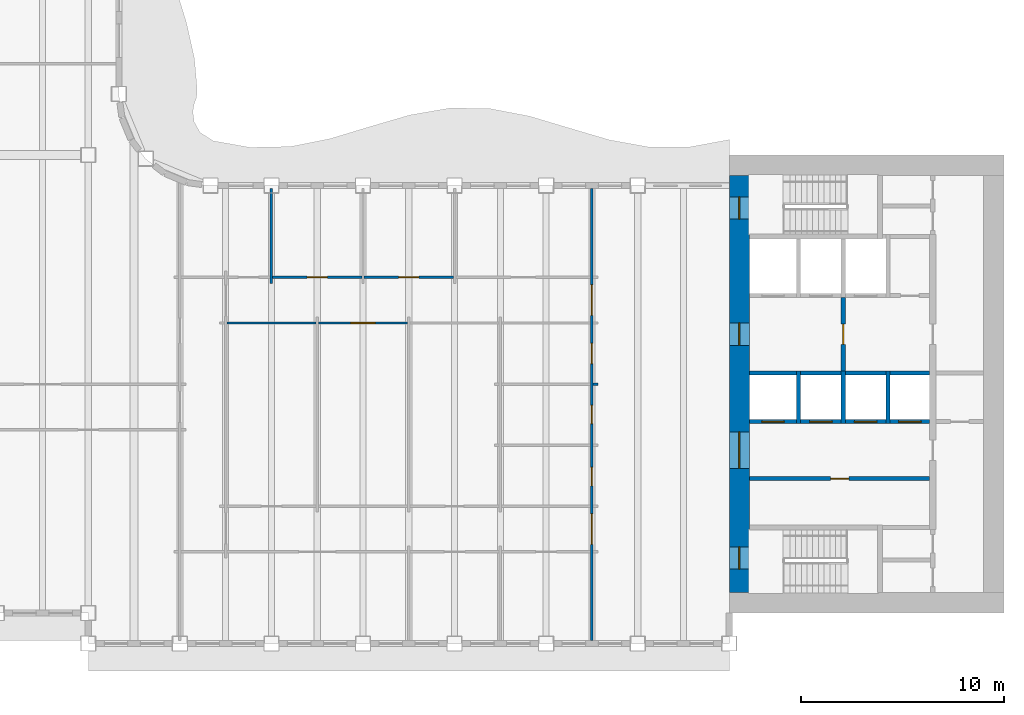
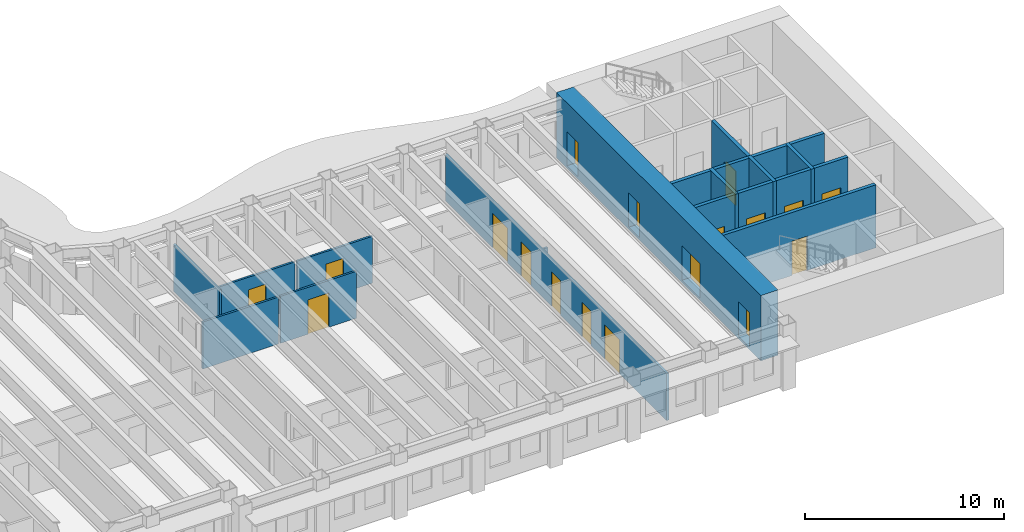
# One storey, part 6 of 16: 21 walls, 18 doors, 18 openings.
"""IFC4 building model written with IfcOpenShell, lengths in metres."""

from ifc_helpers import new_model, si_unit, direction, frame, frame_2d, origin, place, context, subcontext, project, spatial, rectangle, extrude, material, layer, layer_set, type_object, element, fill, save


model = new_model("IFC4")

# Units and contexts
model_context = context("Model", 3, precision=1e-05, world=origin(), true_north=direction((0.0, 1.0)))
body_context = subcontext(model_context, "Body", "Model", "MODEL_VIEW")
ifc_project = project(units=[si_unit("LENGTHUNIT", "METRE"), si_unit("AREAUNIT", "SQUARE_METRE"), si_unit("VOLUMEUNIT", "CUBIC_METRE"), si_unit("PLANEANGLEUNIT", "RADIAN"), si_unit("MASSUNIT", "GRAM", prefix="KILO")], contexts=[model_context])

# Site, building, storey
site_placement = place(None, origin())
site = spatial("IfcSite", under=ifc_project, at=site_placement, CompositionType="ELEMENT")
building_placement = place(site_placement, origin())
building = spatial("IfcBuilding", under=site, at=building_placement, Name="Sennacour Bend Tower", CompositionType="ELEMENT")
storey_placement = place(building_placement, frame((0.0, 0.0, 231.0)))
storey = spatial("IfcBuildingStorey", under=building, at=storey_placement, Name="L53", CompositionType="ELEMENT", Elevation=231.0)

# Wall, openings, doors
ifc_material_1 = material(Name="Concrete C60/75", Category="concrete")
ifc_layer_1 = layer(ifc_material_1, 1.0, Name="Concrete C60/75", Category="concrete")
ifc_layer_set_1 = layer_set([ifc_layer_1], Name="Concrete C60/75")
wall_type_1 = type_object("IfcWallType", Name="Core wall 1000 C60/75", PredefinedType="SHEAR", material=ifc_layer_set_1)
wall_1_placement = place(storey_placement, frame((54.5, 1.0, -0.14990234375), z_axis=(0.0, 0.0, 1.0), x_axis=(0.0, 1.0, 0.0)))
wall_1 = element("IfcWall", 1, at=wall_1_placement, inside=storey, type_object=wall_type_1, Name="Core A wall L53 W", PredefinedType="SHEAR", context=body_context, shape_type="SweptSolid", body=[
    extrude(rectangle(XDim=20.5, YDim=1.0, at=frame_2d((10.25, 0.0))), origin(), (0.0, 0.0, 1.0), 4.0),
])
opening_1_placement = place(wall_1_placement, frame((6.10009765625, 0.0, 0.14990234375)))
opening_1 = element("IfcOpeningElement", 2, at=opening_1_placement, cuts=wall_1, Name="Opening CD", PredefinedType="OPENING", context=body_context, shape_type="SweptSolid", body=[
    extrude(rectangle(XDim=1.800048828125, YDim=2.10009765625, at=frame_2d((0.89990234375, 1.050048828125))), frame((0.0, 0.510009765625, 0.0), z_axis=(0.0, -1.0, 0.0), x_axis=(1.0, 0.0, 0.0)), (0.0, 0.0, 1.0), 1.02001953125),
])
opening_2_placement = place(wall_1_placement, frame((12.14990234375, 0.0, 0.14990234375)))
opening_2 = element("IfcOpeningElement", 3, at=opening_2_placement, cuts=wall_1, Name="Opening FD", PredefinedType="OPENING", context=body_context, shape_type="SweptSolid", body=[
    extrude(rectangle(XDim=1.10009765625, YDim=2.10009765625, at=frame_2d((0.550048828125, 1.050048828125))), frame((0.0, 0.510009765625, 0.0), z_axis=(0.0, -1.0, 0.0), x_axis=(1.0, 0.0, 0.0)), (0.0, 0.0, 1.0), 1.02001953125),
])
opening_3_placement = place(wall_1_placement, frame((1.14990234375, 0.0, 0.14990234375)))
opening_3 = element("IfcOpeningElement", 4, at=opening_3_placement, cuts=wall_1, Name="Opening SD", PredefinedType="OPENING", context=body_context, shape_type="SweptSolid", body=[
    extrude(rectangle(XDim=1.10009765625, YDim=2.10009765625, at=frame_2d((0.550048828125, 1.050048828125))), frame((0.0, 0.510009765625, 0.0), z_axis=(0.0, -1.0, 0.0), x_axis=(1.0, 0.0, 0.0)), (0.0, 0.0, 1.0), 1.02001953125),
])
opening_4_placement = place(wall_1_placement, frame((18.35009765625, 0.0, 0.14990234375)))
opening_4 = element("IfcOpeningElement", 5, at=opening_4_placement, cuts=wall_1, Name="Opening SD", PredefinedType="OPENING", context=body_context, shape_type="SweptSolid", body=[
    extrude(rectangle(XDim=1.10009765625, YDim=2.10009765625, at=frame_2d((0.550048828125, 1.050048828125))), frame((0.0, 0.510009765625, 0.0), z_axis=(0.0, -1.0, 0.0), x_axis=(1.0, 0.0, 0.0)), (0.0, 0.0, 1.0), 1.02001953125),
])
ifc_material_2 = material(Name="Painted steel", Category="steel")
door_type_1 = type_object("IfcDoorType", Name="DR-FFL-1100", OperationType="NOTDEFINED", PredefinedType="DOOR", material=ifc_material_2)
door_1_placement = place(opening_2_placement, origin())
door_1 = element("IfcDoor", 6, at=door_1_placement, inside=storey, type_object=door_type_1, Name="Door", OperationType="SINGLE_SWING_RIGHT", OverallHeight=2.10009765625, OverallWidth=1.10009765625, PredefinedType="DOOR", context=body_context, shape_type="SweptSolid", body=[
    extrude(rectangle(XDim=1.10009765625, YDim=2.10009765625, at=frame_2d((0.550048828125, 1.050048828125))), frame((0.0, 0.02490234375, 0.0), z_axis=(0.0, -1.0, 0.0), x_axis=(1.0, 0.0, 0.0)), (0.0, 0.0, 1.0), 0.050048828125),
])
fill(opening_2, door_1)
door_type_2 = type_object("IfcDoorType", Name="DR-LOBBY-1800", OperationType="NOTDEFINED", PredefinedType="DOOR", material=ifc_material_2)
door_2_placement = place(opening_1_placement, origin())
door_2 = element("IfcDoor", 7, at=door_2_placement, inside=storey, type_object=door_type_2, Name="Door", OperationType="DOUBLE_DOOR_SINGLE_SWING", OverallHeight=2.10009765625, OverallWidth=1.800048828125, PredefinedType="DOOR", context=body_context, shape_type="SweptSolid", body=[
    extrude(rectangle(XDim=1.800048828125, YDim=2.10009765625, at=frame_2d((0.89990234375, 1.050048828125))), frame((0.0, 0.02490234375, 0.0), z_axis=(0.0, -1.0, 0.0), x_axis=(1.0, 0.0, 0.0)), (0.0, 0.0, 1.0), 0.050048828125),
])
fill(opening_1, door_2)
door_type_3 = type_object("IfcDoorType", Name="DR-STAIR-1100", OperationType="NOTDEFINED", PredefinedType="DOOR", material=ifc_material_2)
door_3_placement = place(opening_3_placement, origin())
door_3 = element("IfcDoor", 8, at=door_3_placement, inside=storey, type_object=door_type_3, Name="Door", OperationType="SINGLE_SWING_LEFT", OverallHeight=2.10009765625, OverallWidth=1.10009765625, PredefinedType="DOOR", context=body_context, shape_type="SweptSolid", body=[
    extrude(rectangle(XDim=1.10009765625, YDim=2.10009765625, at=frame_2d((0.550048828125, 1.050048828125))), frame((0.0, 0.02490234375, 0.0), z_axis=(0.0, -1.0, 0.0), x_axis=(1.0, 0.0, 0.0)), (0.0, 0.0, 1.0), 0.050048828125),
])
fill(opening_3, door_3)
door_4_placement = place(opening_4_placement, origin())
door_4 = element("IfcDoor", 9, at=door_4_placement, inside=storey, type_object=door_type_3, Name="Door", OperationType="SINGLE_SWING_RIGHT", OverallHeight=2.10009765625, OverallWidth=1.10009765625, PredefinedType="DOOR", context=body_context, shape_type="SweptSolid", body=[
    extrude(rectangle(XDim=1.10009765625, YDim=2.10009765625, at=frame_2d((0.550048828125, 1.050048828125))), frame((0.0, 0.02490234375, 0.0), z_axis=(0.0, -1.0, 0.0), x_axis=(1.0, 0.0, 0.0)), (0.0, 0.0, 1.0), 0.050048828125),
])
fill(opening_4, door_4)

# Walls
ifc_material_3 = material(Name="Plasterboard partition on steel studs", Category="steel")
ifc_layer_2 = layer(ifc_material_3, 0.1201171875, Name="Plasterboard partition on steel studs", Category="steel")
ifc_layer_set_2 = layer_set([ifc_layer_2], Name="Plasterboard partition on steel studs")
wall_type_2 = type_object("IfcWallType", Name="Partition 120", PredefinedType="PARTITIONING", material=ifc_layer_set_2)
wall_2_placement = place(storey_placement, frame((31.5, 16.199951171875, 0.0), z_axis=(0.0, 0.0, 1.0), x_axis=(0.0, 1.0, 0.0)))
element("IfcWall", 10, at=wall_2_placement, inside=storey, type_object=wall_type_2, Name="P-L53-W028a", PredefinedType="PARTITIONING", context=body_context, shape_type="SweptSolid", body=[
    extrude(rectangle(XDim=4.650146484375, YDim=0.1201171875, at=frame_2d((2.3251953125, 0.0))), origin(), (0.0, 0.0, 1.0), 2.8701171875),
])
wall_3_placement = place(storey_placement, frame((47.31005859375, 11.25, 0.0), z_axis=(0.0, 0.0, 1.0), x_axis=(1.0, 0.0, 0.0)))
element("IfcWall", 11, at=wall_3_placement, inside=storey, type_object=wall_type_2, Name="P-L53-W066ac", PredefinedType="PARTITIONING", context=body_context, shape_type="SweptSolid", body=[
    extrude(rectangle(XDim=0.239990234375, YDim=0.1201171875, at=frame_2d((0.1201171875, 0.0))), origin(), (0.0, 0.0, 1.0), 2.8701171875),
])
wall_4_placement = place(storey_placement, frame((29.31005859375, 14.25, 0.0), z_axis=(0.0, 0.0, 1.0), x_axis=(1.0, 0.0, 0.0)))
element("IfcWall", 12, at=wall_4_placement, inside=storey, type_object=wall_type_2, Name="P-L53-W069ab", PredefinedType="PARTITIONING", context=body_context, shape_type="SweptSolid", body=[
    extrude(rectangle(XDim=4.3798828125, YDim=0.1201171875, at=frame_2d((2.18994140625, 0.0))), origin(), (0.0, 0.0, 1.0), 2.8701171875),
])

# Wall, opening, door
wall_5_placement = place(storey_placement, frame((33.81005859375, 14.25, 0.0), z_axis=(0.0, 0.0, 1.0), x_axis=(1.0, 0.0, 0.0)))
wall_5 = element("IfcWall", 13, at=wall_5_placement, inside=storey, type_object=wall_type_2, Name="P-L53-W069ac", PredefinedType="PARTITIONING", context=body_context, shape_type="SweptSolid", body=[
    extrude(rectangle(XDim=4.3798828125, YDim=0.1201171875, at=frame_2d((2.18994140625, 0.0))), origin(), (0.0, 0.0, 1.0), 2.8701171875),
])
opening_5_placement = place(wall_5_placement, frame((1.58984375, 0.0, 0.0)))
opening_5 = element("IfcOpeningElement", 14, at=opening_5_placement, cuts=wall_5, Name="Opening OD", PredefinedType="OPENING", context=body_context, shape_type="SweptSolid", body=[
    extrude(rectangle(XDim=1.199951171875, YDim=2.10009765625, at=frame_2d((0.60009765625, 1.050048828125))), frame((0.0, 0.070068359375, 0.0), z_axis=(0.0, -1.0, 0.0), x_axis=(1.0, 0.0, 0.0)), (0.0, 0.0, 1.0), 0.14013671875),
])
ifc_material_4 = material(Name="Timber", Category="wood")
door_type_4 = type_object("IfcDoorType", Name="DR-OFFICE-1200", OperationType="NOTDEFINED", PredefinedType="DOOR", material=ifc_material_4)
door_5_placement = place(opening_5_placement, origin())
door_5 = element("IfcDoor", 15, at=door_5_placement, inside=storey, type_object=door_type_4, Name="Door", OperationType="SINGLE_SWING_LEFT", OverallHeight=2.10009765625, OverallWidth=1.199951171875, PredefinedType="DOOR", context=body_context, shape_type="SweptSolid", body=[
    extrude(rectangle(XDim=1.199951171875, YDim=2.10009765625, at=frame_2d((0.60009765625, 1.050048828125))), frame((0.0, 0.02490234375, 0.0), z_axis=(0.0, -1.0, 0.0), x_axis=(1.0, 0.0, 0.0)), (0.0, 0.0, 1.0), 0.050048828125),
])
fill(opening_5, door_5)

wall_6_placement = place(storey_placement, frame((31.56005859375, 16.5, 0.0), z_axis=(0.0, 0.0, 1.0), x_axis=(1.0, 0.0, 0.0)))
wall_6 = element("IfcWall", 16, at=wall_6_placement, inside=storey, type_object=wall_type_2, Name="P-L53-W072ad", PredefinedType="PARTITIONING", context=body_context, shape_type="SweptSolid", body=[
    extrude(rectangle(XDim=4.3798828125, YDim=0.1201171875, at=frame_2d((2.18994140625, 0.0))), origin(), (0.0, 0.0, 1.0), 2.8701171875),
])
opening_6_placement = place(wall_6_placement, frame((1.68994140625, 0.0, 0.0)))
opening_6 = element("IfcOpeningElement", 17, at=opening_6_placement, cuts=wall_6, Name="Opening OD2", PredefinedType="OPENING", context=body_context, shape_type="SweptSolid", body=[
    extrude(rectangle(XDim=1.0, YDim=2.10009765625, at=frame_2d((0.5, 1.050048828125))), frame((0.0, 0.070068359375, 0.0), z_axis=(0.0, -1.0, 0.0), x_axis=(1.0, 0.0, 0.0)), (0.0, 0.0, 1.0), 0.14013671875),
])
door_type_5 = type_object("IfcDoorType", Name="DR-OFFICE-1000", OperationType="NOTDEFINED", PredefinedType="DOOR", material=ifc_material_4)
door_6_placement = place(opening_6_placement, origin())
door_6 = element("IfcDoor", 18, at=door_6_placement, inside=storey, type_object=door_type_5, Name="Door", OperationType="SINGLE_SWING_LEFT", OverallHeight=2.10009765625, OverallWidth=1.0, PredefinedType="DOOR", context=body_context, shape_type="SweptSolid", body=[
    extrude(rectangle(XDim=1.0, YDim=2.10009765625, at=frame_2d((0.5, 1.050048828125))), frame((0.0, 0.02490234375, 0.0), z_axis=(0.0, -1.0, 0.0), x_axis=(1.0, 0.0, 0.0)), (0.0, 0.0, 1.0), 0.050048828125),
])
fill(opening_6, door_6)

wall_7_placement = place(storey_placement, frame((36.06005859375, 16.5, 0.0), z_axis=(0.0, 0.0, 1.0), x_axis=(1.0, 0.0, 0.0)))
wall_7 = element("IfcWall", 19, at=wall_7_placement, inside=storey, type_object=wall_type_2, Name="P-L53-W072ae", PredefinedType="PARTITIONING", context=body_context, shape_type="SweptSolid", body=[
    extrude(rectangle(XDim=4.3798828125, YDim=0.1201171875, at=frame_2d((2.18994140625, 0.0))), origin(), (0.0, 0.0, 1.0), 2.8701171875),
])
opening_7_placement = place(wall_7_placement, frame((1.68994140625, 0.0, 0.0)))
opening_7 = element("IfcOpeningElement", 20, at=opening_7_placement, cuts=wall_7, Name="Opening OD2", PredefinedType="OPENING", context=body_context, shape_type="SweptSolid", body=[
    extrude(rectangle(XDim=1.0, YDim=2.10009765625, at=frame_2d((0.5, 1.050048828125))), frame((0.0, 0.070068359375, 0.0), z_axis=(0.0, -1.0, 0.0), x_axis=(1.0, 0.0, 0.0)), (0.0, 0.0, 1.0), 0.14013671875),
])
door_7_placement = place(opening_7_placement, origin())
door_7 = element("IfcDoor", 21, at=door_7_placement, inside=storey, type_object=door_type_5, Name="Door", OperationType="SINGLE_SWING_LEFT", OverallHeight=2.10009765625, OverallWidth=1.0, PredefinedType="DOOR", context=body_context, shape_type="SweptSolid", body=[
    extrude(rectangle(XDim=1.0, YDim=2.10009765625, at=frame_2d((0.5, 1.050048828125))), frame((0.0, 0.02490234375, 0.0), z_axis=(0.0, -1.0, 0.0), x_axis=(1.0, 0.0, 0.0)), (0.0, 0.0, 1.0), 0.050048828125),
])
fill(opening_7, door_7)

# Wall, openings, doors
ifc_layer_3 = layer(ifc_material_3, 0.1201171875, Name="Plasterboard partition on steel studs", Category="steel")
ifc_layer_set_3 = layer_set([ifc_layer_3], Name="Plasterboard partition on steel studs")
wall_type_3 = type_object("IfcWallType", Name="Partition 120 EI 30", PredefinedType="PARTITIONING", material=ifc_layer_set_3)
wall_8_placement = place(storey_placement, frame((47.25, -1.35009765625, 0.0), z_axis=(0.0, 0.0, 1.0), x_axis=(0.0, 1.0, 0.0)))
wall_8 = element("IfcWall", 22, at=wall_8_placement, inside=storey, type_object=wall_type_3, Name="P-L53-W036a", PredefinedType="PARTITIONING", context=body_context, shape_type="SweptSolid", body=[
    extrude(rectangle(XDim=22.2001953125, YDim=0.1201171875, at=frame_2d((11.10009765625, 0.0))), origin(), (0.0, 0.0, 1.0), 2.8701171875),
])
opening_8_placement = place(wall_8_placement, frame((4.72509765625, 0.0, 0.0)))
opening_8 = element("IfcOpeningElement", 23, at=opening_8_placement, cuts=wall_8, Name="Opening KD", PredefinedType="OPENING", context=body_context, shape_type="SweptSolid", body=[
    extrude(rectangle(XDim=1.5, YDim=2.10009765625, at=frame_2d((0.75, 1.050048828125))), frame((0.0, 0.070068359375, 0.0), z_axis=(0.0, -1.0, 0.0), x_axis=(1.0, 0.0, 0.0)), (0.0, 0.0, 1.0), 0.14013671875),
])
opening_9_placement = place(wall_8_placement, frame((15.97509765625, 0.0, 0.0)))
opening_9 = element("IfcOpeningElement", 24, at=opening_9_placement, cuts=wall_8, Name="Opening KD", PredefinedType="OPENING", context=body_context, shape_type="SweptSolid", body=[
    extrude(rectangle(XDim=1.5, YDim=2.10009765625, at=frame_2d((0.75, 1.050048828125))), frame((0.0, 0.070068359375, 0.0), z_axis=(0.0, -1.0, 0.0), x_axis=(1.0, 0.0, 0.0)), (0.0, 0.0, 1.0), 0.14013671875),
])
opening_10_placement = place(wall_8_placement, frame((7.60009765625, 0.0, 0.0)))
opening_10 = element("IfcOpeningElement", 25, at=opening_10_placement, cuts=wall_8, Name="Opening WD", PredefinedType="OPENING", context=body_context, shape_type="SweptSolid", body=[
    extrude(rectangle(XDim=0.89990234375, YDim=2.10009765625, at=frame_2d((0.449951171875, 1.050048828125))), frame((0.0, 0.070068359375, 0.0), z_axis=(0.0, -1.0, 0.0), x_axis=(1.0, 0.0, 0.0)), (0.0, 0.0, 1.0), 0.14013671875),
])
opening_11_placement = place(wall_8_placement, frame((10.650146484375, 0.0, 0.0)))
opening_11 = element("IfcOpeningElement", 26, at=opening_11_placement, cuts=wall_8, Name="Opening WD", PredefinedType="OPENING", context=body_context, shape_type="SweptSolid", body=[
    extrude(rectangle(XDim=0.89990234375, YDim=2.10009765625, at=frame_2d((0.449951171875, 1.050048828125))), frame((0.0, 0.070068359375, 0.0), z_axis=(0.0, -1.0, 0.0), x_axis=(1.0, 0.0, 0.0)), (0.0, 0.0, 1.0), 0.14013671875),
])
opening_12_placement = place(wall_8_placement, frame((13.60009765625, 0.0, 0.0)))
opening_12 = element("IfcOpeningElement", 27, at=opening_12_placement, cuts=wall_8, Name="Opening AD", PredefinedType="OPENING", context=body_context, shape_type="SweptSolid", body=[
    extrude(rectangle(XDim=1.0, YDim=2.10009765625, at=frame_2d((0.5, 1.050048828125))), frame((0.0, 0.070068359375, 0.0), z_axis=(0.0, -1.0, 0.0), x_axis=(1.0, 0.0, 0.0)), (0.0, 0.0, 1.0), 0.14013671875),
])
door_type_6 = type_object("IfcDoorType", Name="DR-ACC-WC-1000", OperationType="NOTDEFINED", PredefinedType="DOOR", material=ifc_material_4)
door_8_placement = place(opening_12_placement, origin())
door_8 = element("IfcDoor", 28, at=door_8_placement, inside=storey, type_object=door_type_6, Name="Door", OperationType="SINGLE_SWING_RIGHT", OverallHeight=2.10009765625, OverallWidth=1.0, PredefinedType="DOOR", context=body_context, shape_type="SweptSolid", body=[
    extrude(rectangle(XDim=1.0, YDim=2.10009765625, at=frame_2d((0.5, 1.050048828125))), frame((0.0, 0.02490234375, 0.0), z_axis=(0.0, -1.0, 0.0), x_axis=(1.0, 0.0, 0.0)), (0.0, 0.0, 1.0), 0.050048828125),
])
fill(opening_12, door_8)
door_type_7 = type_object("IfcDoorType", Name="DR-CORRIDOR-1500", OperationType="NOTDEFINED", PredefinedType="DOOR", material=ifc_material_2)
door_9_placement = place(opening_8_placement, origin())
door_9 = element("IfcDoor", 29, at=door_9_placement, inside=storey, type_object=door_type_7, Name="Door", OperationType="SINGLE_SWING_LEFT", OverallHeight=2.10009765625, OverallWidth=1.5, PredefinedType="DOOR", context=body_context, shape_type="SweptSolid", body=[
    extrude(rectangle(XDim=1.5, YDim=2.10009765625, at=frame_2d((0.75, 1.050048828125))), frame((0.0, 0.02490234375, 0.0), z_axis=(0.0, -1.0, 0.0), x_axis=(1.0, 0.0, 0.0)), (0.0, 0.0, 1.0), 0.050048828125),
])
fill(opening_8, door_9)
door_10_placement = place(opening_9_placement, origin())
door_10 = element("IfcDoor", 30, at=door_10_placement, inside=storey, type_object=door_type_7, Name="Door", OperationType="SINGLE_SWING_RIGHT", OverallHeight=2.10009765625, OverallWidth=1.5, PredefinedType="DOOR", context=body_context, shape_type="SweptSolid", body=[
    extrude(rectangle(XDim=1.5, YDim=2.10009765625, at=frame_2d((0.75, 1.050048828125))), frame((0.0, 0.02490234375, 0.0), z_axis=(0.0, -1.0, 0.0), x_axis=(1.0, 0.0, 0.0)), (0.0, 0.0, 1.0), 0.050048828125),
])
fill(opening_9, door_10)
door_type_8 = type_object("IfcDoorType", Name="DR-WC-900", OperationType="NOTDEFINED", PredefinedType="DOOR", material=ifc_material_4)
door_11_placement = place(opening_10_placement, origin())
door_11 = element("IfcDoor", 31, at=door_11_placement, inside=storey, type_object=door_type_8, Name="Door", OperationType="SINGLE_SWING_LEFT", OverallHeight=2.10009765625, OverallWidth=0.89990234375, PredefinedType="DOOR", context=body_context, shape_type="SweptSolid", body=[
    extrude(rectangle(XDim=0.89990234375, YDim=2.10009765625, at=frame_2d((0.449951171875, 1.050048828125))), frame((0.0, 0.02490234375, 0.0), z_axis=(0.0, -1.0, 0.0), x_axis=(1.0, 0.0, 0.0)), (0.0, 0.0, 1.0), 0.050048828125),
])
fill(opening_10, door_11)
door_12_placement = place(opening_11_placement, origin())
door_12 = element("IfcDoor", 32, at=door_12_placement, inside=storey, type_object=door_type_8, Name="Door", OperationType="SINGLE_SWING_RIGHT", OverallHeight=2.10009765625, OverallWidth=0.89990234375, PredefinedType="DOOR", context=body_context, shape_type="SweptSolid", body=[
    extrude(rectangle(XDim=0.89990234375, YDim=2.10009765625, at=frame_2d((0.449951171875, 1.050048828125))), frame((0.0, 0.02490234375, 0.0), z_axis=(0.0, -1.0, 0.0), x_axis=(1.0, 0.0, 0.0)), (0.0, 0.0, 1.0), 0.050048828125),
])
fill(opening_11, door_12)

# Wall, opening, door
ifc_material_5 = material(Name="Fire-rated plasterboard partition on steel studs", Category="steel")
ifc_layer_4 = layer(ifc_material_5, 0.199951171875, Name="Fire-rated plasterboard partition on steel studs", Category="steel")
ifc_layer_set_4 = layer_set([ifc_layer_4], Name="Fire-rated plasterboard partition on steel studs")
wall_type_4 = type_object("IfcWallType", Name="Rated partition 200", PredefinedType="PARTITIONING", material=ifc_layer_set_4)
wall_9_placement = place(storey_placement, frame((55.0, 6.60009765625, 0.0), z_axis=(0.0, 0.0, 1.0), x_axis=(1.0, 0.0, 0.0)))
wall_9 = element("IfcWall", 33, at=wall_9_placement, inside=storey, type_object=wall_type_4, Name="P-L53-W060", PredefinedType="PARTITIONING", context=body_context, shape_type="SweptSolid", body=[
    extrude(rectangle(XDim=8.85009765625, YDim=0.199951171875, at=frame_2d((4.425048828125, 0.0))), origin(), (0.0, 0.0, 1.0), 3.85009765625),
])
opening_13_placement = place(wall_9_placement, frame((3.97509765625, 0.0, 0.0)))
opening_13 = element("IfcOpeningElement", 34, at=opening_13_placement, cuts=wall_9, Name="Opening SV", PredefinedType="OPENING", context=body_context, shape_type="SweptSolid", body=[
    extrude(rectangle(XDim=0.89990234375, YDim=2.10009765625, at=frame_2d((0.449951171875, 1.050048828125))), frame((0.0, 0.10986328125, 0.0), z_axis=(0.0, -1.0, 0.0), x_axis=(1.0, 0.0, 0.0)), (0.0, 0.0, 1.0), 0.219970703125),
])
door_type_9 = type_object("IfcDoorType", Name="DR-SERVICE-900", OperationType="NOTDEFINED", PredefinedType="DOOR", material=ifc_material_2)
door_13_placement = place(opening_13_placement, origin())
door_13 = element("IfcDoor", 35, at=door_13_placement, inside=storey, type_object=door_type_9, Name="Door", OperationType="SINGLE_SWING_LEFT", OverallHeight=2.10009765625, OverallWidth=0.89990234375, PredefinedType="DOOR", context=body_context, shape_type="SweptSolid", body=[
    extrude(rectangle(XDim=0.89990234375, YDim=2.10009765625, at=frame_2d((0.449951171875, 1.050048828125))), frame((0.0, 0.02490234375, 0.0), z_axis=(0.0, -1.0, 0.0), x_axis=(1.0, 0.0, 0.0)), (0.0, 0.0, 1.0), 0.050048828125),
])
fill(opening_13, door_13)

ifc_layer_5 = layer(ifc_material_5, 0.199951171875, Name="Fire-rated plasterboard partition on steel studs", Category="steel")
ifc_layer_set_5 = layer_set([ifc_layer_5], Name="Fire-rated plasterboard partition on steel studs")
wall_type_5 = type_object("IfcWallType", Name="Rated partition 200 EI 90", PredefinedType="PARTITIONING", material=ifc_layer_set_5)
wall_10_placement = place(storey_placement, frame((59.60009765625, 11.89990234375, 0.0), z_axis=(0.0, 0.0, 1.0), x_axis=(0.0, 1.0, 0.0)))
wall_10 = element("IfcWall", 36, at=wall_10_placement, inside=storey, type_object=wall_type_5, Name="P-L53-W041", PredefinedType="PARTITIONING", context=body_context, shape_type="SweptSolid", body=[
    extrude(rectangle(XDim=3.60009765625, YDim=0.199951171875, at=frame_2d((1.800048828125, 0.0))), origin(), (0.0, 0.0, 1.0), 3.85009765625),
])
opening_14_placement = place(wall_10_placement, frame((1.300048828125, 0.0, 0.0)))
opening_14 = element("IfcOpeningElement", 37, at=opening_14_placement, cuts=wall_10, Name="Opening FD2", PredefinedType="OPENING", context=body_context, shape_type="SweptSolid", body=[
    extrude(rectangle(XDim=1.0, YDim=2.10009765625, at=frame_2d((0.5, 1.050048828125))), frame((0.0, 0.10986328125, 0.0), z_axis=(0.0, -1.0, 0.0), x_axis=(1.0, 0.0, 0.0)), (0.0, 0.0, 1.0), 0.219970703125),
])
door_type_10 = type_object("IfcDoorType", Name="DR-FFL-1000", OperationType="NOTDEFINED", PredefinedType="DOOR", material=ifc_material_2)
door_14_placement = place(opening_14_placement, origin())
door_14 = element("IfcDoor", 38, at=door_14_placement, inside=storey, type_object=door_type_10, Name="Door", OperationType="SINGLE_SWING_LEFT", OverallHeight=2.10009765625, OverallWidth=1.0, PredefinedType="DOOR", context=body_context, shape_type="SweptSolid", body=[
    extrude(rectangle(XDim=1.0, YDim=2.10009765625, at=frame_2d((0.5, 1.050048828125))), frame((0.0, 0.02490234375, 0.0), z_axis=(0.0, -1.0, 0.0), x_axis=(1.0, 0.0, 0.0)), (0.0, 0.0, 1.0), 0.050048828125),
])
fill(opening_14, door_14)

# Walls
ifc_material_6 = material(Name="Concrete C50/60", Category="concrete")
ifc_layer_6 = layer(ifc_material_6, 0.199951171875, Name="Concrete C50/60", Category="concrete")
ifc_layer_set_6 = layer_set([ifc_layer_6], Name="Concrete C50/60")
wall_type_6 = type_object("IfcWallType", Name="Shaft wall 200", PredefinedType="SOLIDWALL", material=ifc_layer_set_6)
for number, where, z_axis, x_axis, name in (
    (39, (57.39990234375, 9.300048828125, 0.0), (0.0, 0.0, 1.0), (0.0, 1.0, 0.0), "P-L53-W038"),
    (40, (59.60009765625, 9.300048828125, 0.0), (0.0, 0.0, 1.0), (0.0, 1.0, 0.0), "P-L53-W040"),
    (41, (61.800048828125, 9.300048828125, 0.0), (0.0, 0.0, 1.0), (0.0, 1.0, 0.0), "P-L53-W045"),
):
    element("IfcWall", number, at=place(storey_placement, frame(where, z_axis=z_axis, x_axis=x_axis)), inside=storey, type_object=wall_type_6, Name=name, PredefinedType="SOLIDWALL", context=body_context, shape_type="SweptSolid", body=[
        extrude(rectangle(XDim=2.599853515625, YDim=0.199951171875, at=frame_2d((1.2998046875, 0.0))), origin(), (0.0, 0.0, 1.0), 3.85009765625),
    ])

# Wall, opening, door
wall_11_placement = place(storey_placement, frame((55.0, 9.39990234375, 0.0), z_axis=(0.0, 0.0, 1.0), x_axis=(1.0, 0.0, 0.0)))
wall_11 = element("IfcWall", 42, at=wall_11_placement, inside=storey, type_object=wall_type_6, Name="P-L53-W063a", PredefinedType="SOLIDWALL", context=body_context, shape_type="SweptSolid", body=[
    extrude(rectangle(XDim=2.300048828125, YDim=0.199951171875, at=frame_2d((1.14990234375, 0.0))), origin(), (0.0, 0.0, 1.0), 3.85009765625),
])
opening_15_placement = place(wall_11_placement, frame((0.60009765625, 0.0, 0.011962890625)))
opening_15 = element("IfcOpeningElement", 43, at=opening_15_placement, cuts=wall_11, Name="Opening LD", PredefinedType="OPENING", context=body_context, shape_type="SweptSolid", body=[
    extrude(rectangle(XDim=1.10009765625, YDim=2.10009765625, at=frame_2d((0.550048828125, 1.050048828125))), frame((0.0, 0.10986328125, 0.0), z_axis=(0.0, -1.0, 0.0), x_axis=(1.0, 0.0, 0.0)), (0.0, 0.0, 1.0), 0.219970703125),
])
ifc_material_7 = material(Name="Stainless steel", Category="steel")
door_type_11 = type_object("IfcDoorType", Name="DR-LANDING-1100", OperationType="NOTDEFINED", PredefinedType="DOOR", material=ifc_material_7)
door_15_placement = place(opening_15_placement, origin())
door_15 = element("IfcDoor", 44, at=door_15_placement, inside=storey, type_object=door_type_11, Name="Lift landing door HA1", OperationType="SLIDING_TO_LEFT", OverallHeight=2.10009765625, OverallWidth=1.10009765625, PredefinedType="DOOR", context=body_context, shape_type="SweptSolid", body=[
    extrude(rectangle(XDim=1.10009765625, YDim=2.10009765625, at=frame_2d((0.550048828125, 1.050048828125))), frame((0.0, 0.02490234375, 0.0), z_axis=(0.0, -1.0, 0.0), x_axis=(1.0, 0.0, 0.0)), (0.0, 0.0, 1.0), 0.050048828125),
])
fill(opening_15, door_15)

wall_12_placement = place(storey_placement, frame((57.5, 9.39990234375, 0.0), z_axis=(0.0, 0.0, 1.0), x_axis=(1.0, 0.0, 0.0)))
wall_12 = element("IfcWall", 45, at=wall_12_placement, inside=storey, type_object=wall_type_6, Name="P-L53-W063b", PredefinedType="SOLIDWALL", context=body_context, shape_type="SweptSolid", body=[
    extrude(rectangle(XDim=2.0, YDim=0.199951171875, at=frame_2d((1.0, 0.0))), origin(), (0.0, 0.0, 1.0), 3.85009765625),
])
opening_16_placement = place(wall_12_placement, frame((0.449951171875, 0.0, 0.011962890625)))
opening_16 = element("IfcOpeningElement", 46, at=opening_16_placement, cuts=wall_12, Name="Opening LD", PredefinedType="OPENING", context=body_context, shape_type="SweptSolid", body=[
    extrude(rectangle(XDim=1.10009765625, YDim=2.10009765625, at=frame_2d((0.550048828125, 1.050048828125))), frame((0.0, 0.10986328125, 0.0), z_axis=(0.0, -1.0, 0.0), x_axis=(1.0, 0.0, 0.0)), (0.0, 0.0, 1.0), 0.219970703125),
])
door_16_placement = place(opening_16_placement, origin())
door_16 = element("IfcDoor", 47, at=door_16_placement, inside=storey, type_object=door_type_11, Name="Lift landing door HA2", OperationType="SLIDING_TO_RIGHT", OverallHeight=2.10009765625, OverallWidth=1.10009765625, PredefinedType="DOOR", context=body_context, shape_type="SweptSolid", body=[
    extrude(rectangle(XDim=1.10009765625, YDim=2.10009765625, at=frame_2d((0.550048828125, 1.050048828125))), frame((0.0, 0.02490234375, 0.0), z_axis=(0.0, -1.0, 0.0), x_axis=(1.0, 0.0, 0.0)), (0.0, 0.0, 1.0), 0.050048828125),
])
fill(opening_16, door_16)

wall_13_placement = place(storey_placement, frame((59.699951171875, 9.39990234375, 0.0), z_axis=(0.0, 0.0, 1.0), x_axis=(1.0, 0.0, 0.0)))
wall_13 = element("IfcWall", 48, at=wall_13_placement, inside=storey, type_object=wall_type_6, Name="P-L53-W063c", PredefinedType="SOLIDWALL", context=body_context, shape_type="SweptSolid", body=[
    extrude(rectangle(XDim=2.0, YDim=0.199951171875, at=frame_2d((1.0, 0.0))), origin(), (0.0, 0.0, 1.0), 3.85009765625),
])
opening_17_placement = place(wall_13_placement, frame((0.449951171875, 0.0, 0.011962890625)))
opening_17 = element("IfcOpeningElement", 49, at=opening_17_placement, cuts=wall_13, Name="Opening LD", PredefinedType="OPENING", context=body_context, shape_type="SweptSolid", body=[
    extrude(rectangle(XDim=1.10009765625, YDim=2.10009765625, at=frame_2d((0.550048828125, 1.050048828125))), frame((0.0, 0.10986328125, 0.0), z_axis=(0.0, -1.0, 0.0), x_axis=(1.0, 0.0, 0.0)), (0.0, 0.0, 1.0), 0.219970703125),
])
door_17_placement = place(opening_17_placement, origin())
door_17 = element("IfcDoor", 50, at=door_17_placement, inside=storey, type_object=door_type_11, Name="Lift landing door HA3", OperationType="SLIDING_TO_LEFT", OverallHeight=2.10009765625, OverallWidth=1.10009765625, PredefinedType="DOOR", context=body_context, shape_type="SweptSolid", body=[
    extrude(rectangle(XDim=1.10009765625, YDim=2.10009765625, at=frame_2d((0.550048828125, 1.050048828125))), frame((0.0, 0.02490234375, 0.0), z_axis=(0.0, -1.0, 0.0), x_axis=(1.0, 0.0, 0.0)), (0.0, 0.0, 1.0), 0.050048828125),
])
fill(opening_17, door_17)

wall_14_placement = place(storey_placement, frame((61.89990234375, 9.39990234375, 0.0), z_axis=(0.0, 0.0, 1.0), x_axis=(1.0, 0.0, 0.0)))
wall_14 = element("IfcWall", 51, at=wall_14_placement, inside=storey, type_object=wall_type_6, Name="P-L53-W063d", PredefinedType="SOLIDWALL", context=body_context, shape_type="SweptSolid", body=[
    extrude(rectangle(XDim=1.9501953125, YDim=0.199951171875, at=frame_2d((0.97509765625, 0.0))), origin(), (0.0, 0.0, 1.0), 3.85009765625),
])
opening_18_placement = place(wall_14_placement, frame((0.425048828125, 0.0, 0.011962890625)))
opening_18 = element("IfcOpeningElement", 52, at=opening_18_placement, cuts=wall_14, Name="Opening LD", PredefinedType="OPENING", context=body_context, shape_type="SweptSolid", body=[
    extrude(rectangle(XDim=1.10009765625, YDim=2.10009765625, at=frame_2d((0.550048828125, 1.050048828125))), frame((0.0, 0.10986328125, 0.0), z_axis=(0.0, -1.0, 0.0), x_axis=(1.0, 0.0, 0.0)), (0.0, 0.0, 1.0), 0.219970703125),
])
door_18_placement = place(opening_18_placement, origin())
door_18 = element("IfcDoor", 53, at=door_18_placement, inside=storey, type_object=door_type_11, Name="Lift landing door HA4", OperationType="SLIDING_TO_RIGHT", OverallHeight=2.10009765625, OverallWidth=1.10009765625, PredefinedType="DOOR", context=body_context, shape_type="SweptSolid", body=[
    extrude(rectangle(XDim=1.10009765625, YDim=2.10009765625, at=frame_2d((0.550048828125, 1.050048828125))), frame((0.0, 0.02490234375, 0.0), z_axis=(0.0, -1.0, 0.0), x_axis=(1.0, 0.0, 0.0)), (0.0, 0.0, 1.0), 0.050048828125),
])
fill(opening_18, door_18)

# Walls
wall_15_placement = place(storey_placement, frame((55.0, 11.800048828125, 0.0), z_axis=(0.0, 0.0, 1.0), x_axis=(1.0, 0.0, 0.0)))
element("IfcWall", 54, at=wall_15_placement, inside=storey, type_object=wall_type_6, Name="P-L53-W067a", PredefinedType="SOLIDWALL", context=body_context, shape_type="SweptSolid", body=[
    extrude(rectangle(XDim=2.300048828125, YDim=0.199951171875, at=frame_2d((1.14990234375, 0.0))), origin(), (0.0, 0.0, 1.0), 3.85009765625),
])
for number, where, z_axis, x_axis, name in (
    (55, (57.5, 11.800048828125, 0.0), (0.0, 0.0, 1.0), (1.0, 0.0, 0.0), "P-L53-W067b"),
    (56, (59.699951171875, 11.800048828125, 0.0), (0.0, 0.0, 1.0), (1.0, 0.0, 0.0), "P-L53-W067c"),
):
    element("IfcWall", number, at=place(storey_placement, frame(where, z_axis=z_axis, x_axis=x_axis)), inside=storey, type_object=wall_type_6, Name=name, PredefinedType="SOLIDWALL", context=body_context, shape_type="SweptSolid", body=[
        extrude(rectangle(XDim=2.0, YDim=0.199951171875, at=frame_2d((1.0, 0.0))), origin(), (0.0, 0.0, 1.0), 3.85009765625),
    ])
wall_16_placement = place(storey_placement, frame((61.89990234375, 11.800048828125, 0.0), z_axis=(0.0, 0.0, 1.0), x_axis=(1.0, 0.0, 0.0)))
element("IfcWall", 57, at=wall_16_placement, inside=storey, type_object=wall_type_6, Name="P-L53-W067d", PredefinedType="SOLIDWALL", context=body_context, shape_type="SweptSolid", body=[
    extrude(rectangle(XDim=1.9501953125, YDim=0.199951171875, at=frame_2d((0.97509765625, 0.0))), origin(), (0.0, 0.0, 1.0), 3.85009765625),
])

save(model, "model.ifc")
